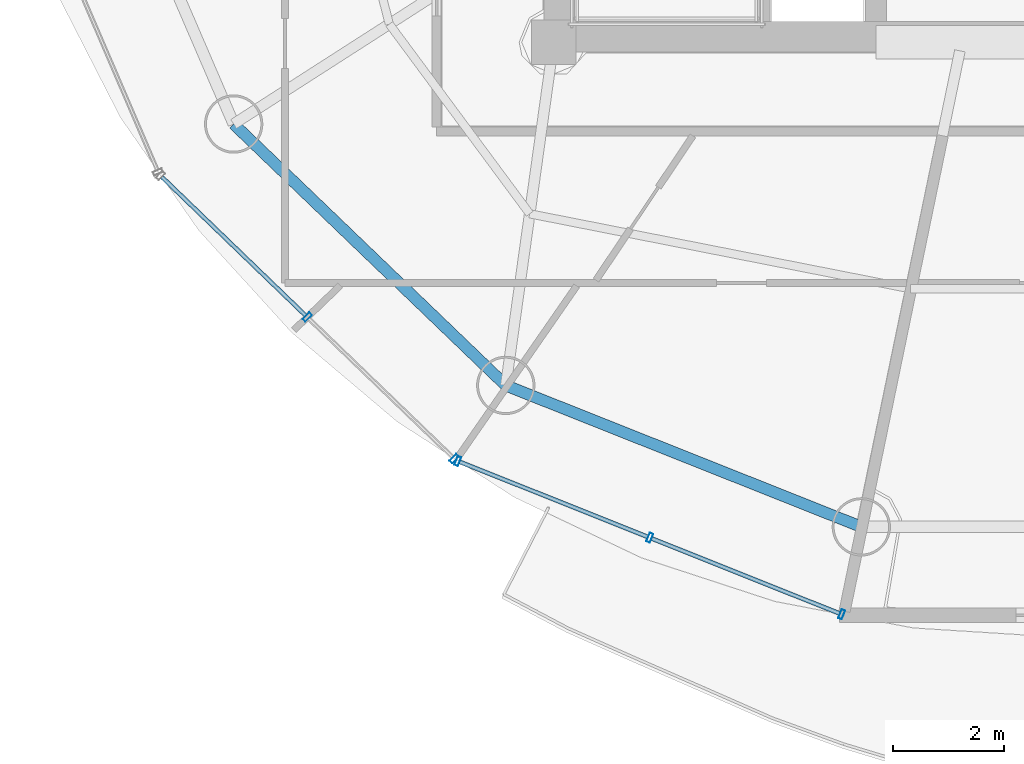
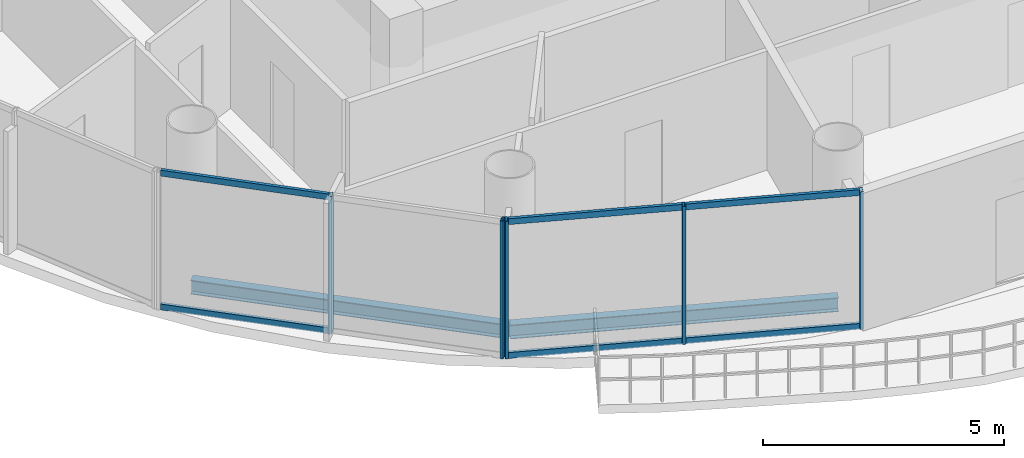
# One storey, part 2 of 23: 11 members, 2 beams, 2 elements without a shape of their own.
"""IFC4 building model written with IfcOpenShell, lengths in metres."""

from ifc_helpers import new_model, si_unit, direction, frame, origin, origin_2d, place, context, subcontext, project, spatial, hollow_rectangle, i_section, extrude, source, transform, mapped, material, material_profile, profile_set, type_object, element, aggregate, save


model = new_model("IFC4")

# Units and contexts
model_context = context("Model", 3, precision=1e-05, world=origin(), true_north=direction((-0.2419218956, 0.970295726276)))
body_context = subcontext(model_context, "Body", "Model", "MODEL_VIEW")
ifc_project = project(units=[si_unit("LENGTHUNIT", "METRE"), si_unit("AREAUNIT", "SQUARE_METRE"), si_unit("VOLUMEUNIT", "CUBIC_METRE"), si_unit("PLANEANGLEUNIT", "RADIAN"), si_unit("MASSUNIT", "GRAM", prefix="KILO")], contexts=[model_context])

# Site, building, storey
site_placement = place(None, origin())
site = spatial("IfcSite", under=ifc_project, at=site_placement, CompositionType="ELEMENT")
building_placement = place(site_placement, origin())
building = spatial("IfcBuilding", under=site, at=building_placement, Name="Cobrevalo Terracotta Tower", CompositionType="ELEMENT")
storey_placement = place(building_placement, frame((0.0, 0.0, 263.199951171875)))
storey = spatial("IfcBuildingStorey", under=building, at=storey_placement, Name="L69", CompositionType="ELEMENT", Elevation=263.199951171875)

# Beams
ifc_material_1 = material(Name="Steel S355", Category="steel")
ifc_material_profile_1 = material_profile(ifc_material_1, i_section(OverallWidth=0.205078125, OverallDepth=0.35400390625, WebThickness=0.009521484375, FlangeThickness=0.016845703125, at=origin_2d()), Name="W 360x79")
ifc_profile_set_1 = profile_set([ifc_material_profile_1], Name="Steel S355")
beam_type = type_object("IfcBeamType", Name="Structural Spandrel W 360x79 (Steel S355)", PredefinedType="SPANDREL", material=ifc_profile_set_1)
beam_1_placement = place(storey_placement, frame((23.241455078125, 17.32763671875, -0.43701171875), z_axis=(0.721183246144, -0.692744343522, 0.0), x_axis=(0.692744343522, 0.721183246144, 0.0)))
element("IfcBeam", 1, at=beam_1_placement, inside=storey, type_object=beam_type, Name="L69 perimeter ring spandrel 10", PredefinedType="SPANDREL", context=body_context, shape_type="SweptSolid", body=[
    extrude(i_section(OverallWidth=0.205078125, OverallDepth=0.35400390625, WebThickness=0.009521484375, FlangeThickness=0.016845703125, at=origin_2d()), origin(), (0.0, 0.0, 1.0), 6.79052734375),
])
beam_2_placement = place(storey_placement, frame((28.138671875, 12.62353515625, -0.43701171875), z_axis=(0.929149986048, -0.369702993533, 0.0), x_axis=(0.369702993533, 0.929149986048, 0.0)))
element("IfcBeam", 2, at=beam_2_placement, inside=storey, type_object=beam_type, Name="L69 perimeter ring spandrel 11", PredefinedType="SPANDREL", context=body_context, shape_type="SweptSolid", body=[
    extrude(i_section(OverallWidth=0.205078125, OverallDepth=0.35400390625, WebThickness=0.009521484375, FlangeThickness=0.016845703125, at=origin_2d()), origin(), (0.0, 0.0, 1.0), 6.88623046875),
])

# Curtain wall, members
ifc_material_2 = material(Name="Anodized aluminium", Category="aluminium")
curtain_wall_type = type_object("IfcCurtainWallType", Name="Upper-tower triple-glazed penthouse curtain wall CW-U3", PredefinedType="NOTDEFINED", material=ifc_material_2)
curtain_wall_1_placement = place(storey_placement, origin())
curtain_wall_1 = element("IfcCurtainWall", 3, at=curtain_wall_1_placement, inside=storey, type_object=curtain_wall_type, Name="L69 curtain wall CW-L69-S10", PredefinedType="NOTDEFINED")
ifc_material_profile_2 = material_profile(ifc_material_2, hollow_rectangle(XDim=0.070068359375, YDim=0.169921875, WallThickness=0.00439453125, at=origin_2d()), Name="CWM 70x170")
ifc_profile_set_2 = profile_set([ifc_material_profile_2], Name="Anodized aluminium")
member_type_1 = type_object("IfcMemberType", Name="Upper tower unitised mullion 70x170", PredefinedType="MULLION", material=ifc_profile_set_2)
shared_shape_1 = source(origin(), body_context, "Body", "SweptSolid", [
    extrude(hollow_rectangle(XDim=0.070068359375, YDim=0.169921875, WallThickness=0.00439453125, at=origin_2d()), origin(), (0.0, 0.0, 1.0), 3.489990234375),
])
member_1_placement = place(storey_placement, frame((24.56640625, 13.85205078125, 0.0), z_axis=(0.0, 0.0, 1.0), x_axis=(0.71999418085, -0.69398010025, 0.0)))
member_1 = element("IfcMember", 4, at=member_1_placement, type_object=member_type_1, Name="CW-L69-S10 vertical mullion 02", PredefinedType="MULLION", context=body_context, shape_type="MappedRepresentation", body=[
    mapped(shared_shape_1, transform((0.0, 0.0, 0.0), scale=1.0)),
])
member_2_placement = place(storey_placement, frame((27.209716796875, 11.30419921875, 0.0), z_axis=(0.0, 0.0, 1.0), x_axis=(0.71999418085, -0.69398010025, 0.0)))
member_2 = element("IfcMember", 5, at=member_2_placement, type_object=member_type_1, Name="CW-L69-S10 vertical mullion 03", PredefinedType="MULLION", context=body_context, shape_type="MappedRepresentation", body=[
    mapped(shared_shape_1, transform((0.0, 0.0, 0.0), scale=1.0)),
])

curtain_wall_2_placement = place(storey_placement, origin())
curtain_wall_2 = element("IfcCurtainWall", 6, at=curtain_wall_2_placement, inside=storey, type_object=curtain_wall_type, Name="L69 curtain wall CW-L69-S11", PredefinedType="NOTDEFINED")
member_3_placement = place(storey_placement, frame((27.275634765625, 11.26171875, 0.0), z_axis=(0.0, 0.0, 1.0), x_axis=(0.928718980883, -0.370784377433, 0.0)))
member_3 = element("IfcMember", 7, at=member_3_placement, type_object=member_type_1, Name="CW-L69-S11 vertical mullion 01", PredefinedType="MULLION", context=body_context, shape_type="MappedRepresentation", body=[
    mapped(shared_shape_1, transform((0.0, 0.0, 0.0), scale=1.0)),
])
member_4_placement = place(storey_placement, frame((30.729736328125, 9.882568359375, 0.0), z_axis=(0.0, 0.0, 1.0), x_axis=(0.928718980883, -0.370784377433, 0.0)))
member_4 = element("IfcMember", 8, at=member_4_placement, type_object=member_type_1, Name="CW-L69-S11 vertical mullion 02", PredefinedType="MULLION", context=body_context, shape_type="MappedRepresentation", body=[
    mapped(shared_shape_1, transform((0.0, 0.0, 0.0), scale=1.0)),
])
member_5_placement = place(storey_placement, frame((34.183837890625, 8.503662109375, 0.0), z_axis=(0.0, 0.0, 1.0), x_axis=(0.928718980883, -0.370784377433, 0.0)))
member_5 = element("IfcMember", 9, at=member_5_placement, type_object=member_type_1, Name="CW-L69-S11 vertical mullion 03", PredefinedType="MULLION", context=body_context, shape_type="MappedRepresentation", body=[
    mapped(shared_shape_1, transform((0.0, 0.0, 0.0), scale=1.0)),
])

# Member
ifc_material_profile_3 = material_profile(ifc_material_2, hollow_rectangle(XDim=0.074951171875, YDim=0.14990234375, WallThickness=0.00439453125, at=origin_2d()), Name="CWT 75x150")
ifc_profile_set_3 = profile_set([ifc_material_profile_3], Name="Anodized aluminium")
member_type_2 = type_object("IfcMemberType", Name="Tower unitised aluminium transom 75x150", PredefinedType="USERDEFINED", material=ifc_profile_set_3)
shared_shape_2 = source(origin(), body_context, "Body", "SweptSolid", [
    extrude(hollow_rectangle(XDim=0.074951171875, YDim=0.14990234375, WallThickness=0.00439453125, at=origin_2d()), origin(), (0.0, 0.0, 1.0), 3.59130859375),
])
member_6_placement = place(storey_placement, frame((21.9521484375, 16.3720703125, 0.050048828125), z_axis=(0.719971660756, -0.694003463758, 0.0), x_axis=(0.694003463758, 0.719971660756, 0.0)))
member_6 = element("IfcMember", 10, at=member_6_placement, type_object=member_type_2, Name="CW-L69-S10 transom B01-T1", ObjectType="TRANSOM", PredefinedType="USERDEFINED", context=body_context, shape_type="MappedRepresentation", body=[
    mapped(shared_shape_2, transform((0.0, 0.0, 0.0), scale=1.0)),
])

member_7_placement = place(storey_placement, frame((21.9521484375, 16.3720703125, 3.43994140625), z_axis=(0.719971660756, -0.694003463758, 0.0), x_axis=(0.694003463758, 0.719971660756, 0.0)))
member_7 = element("IfcMember", 11, at=member_7_placement, type_object=member_type_2, Name="CW-L69-S10 transom B01-T2", ObjectType="TRANSOM", PredefinedType="USERDEFINED", context=body_context, shape_type="MappedRepresentation", body=[
    mapped(shared_shape_2, transform((0.0, 0.0, 0.0), scale=1.0)),
])

aggregate(curtain_wall_1, [member_1, member_2, member_6, member_7])

shared_shape_3 = source(origin(), body_context, "Body", "SweptSolid", [
    extrude(hollow_rectangle(XDim=0.074951171875, YDim=0.14990234375, WallThickness=0.00439453125, at=origin_2d()), origin(), (0.0, 0.0, 1.0), 3.63916015625),
])
member_8_placement = place(storey_placement, frame((27.31298828125, 11.246826171875, 0.050048828125), z_axis=(0.928712471544, -0.370800681227, 0.0), x_axis=(0.370800681227, 0.928712471544, 0.0)))
member_8 = element("IfcMember", 12, at=member_8_placement, type_object=member_type_2, Name="CW-L69-S11 transom B01-T1", ObjectType="TRANSOM", PredefinedType="USERDEFINED", context=body_context, shape_type="MappedRepresentation", body=[
    mapped(shared_shape_3, transform((0.0, 0.0, 0.0), scale=1.0)),
])

member_9_placement = place(storey_placement, frame((27.31298828125, 11.246826171875, 3.43994140625), z_axis=(0.928712471544, -0.370800681227, 0.0), x_axis=(0.370800681227, 0.928712471544, 0.0)))
member_9 = element("IfcMember", 13, at=member_9_placement, type_object=member_type_2, Name="CW-L69-S11 transom B01-T2", ObjectType="TRANSOM", PredefinedType="USERDEFINED", context=body_context, shape_type="MappedRepresentation", body=[
    mapped(shared_shape_3, transform((0.0, 0.0, 0.0), scale=1.0)),
])

member_10_placement = place(storey_placement, frame((30.76708984375, 9.86767578125, 0.050048828125), z_axis=(0.928712471544, -0.370800681227, 0.0), x_axis=(0.370800681227, 0.928712471544, 0.0)))
member_10 = element("IfcMember", 14, at=member_10_placement, type_object=member_type_2, Name="CW-L69-S11 transom B02-T1", ObjectType="TRANSOM", PredefinedType="USERDEFINED", context=body_context, shape_type="MappedRepresentation", body=[
    mapped(shared_shape_3, transform((0.0, 0.0, 0.0), scale=1.0)),
])

member_11_placement = place(storey_placement, frame((30.76708984375, 9.86767578125, 3.43994140625), z_axis=(0.928712471544, -0.370800681227, 0.0), x_axis=(0.370800681227, 0.928712471544, 0.0)))
member_11 = element("IfcMember", 15, at=member_11_placement, type_object=member_type_2, Name="CW-L69-S11 transom B02-T2", ObjectType="TRANSOM", PredefinedType="USERDEFINED", context=body_context, shape_type="MappedRepresentation", body=[
    mapped(shared_shape_3, transform((0.0, 0.0, 0.0), scale=1.0)),
])

aggregate(curtain_wall_2, [member_3, member_4, member_5, member_8, member_9, member_10, member_11])

save(model, "model.ifc")
